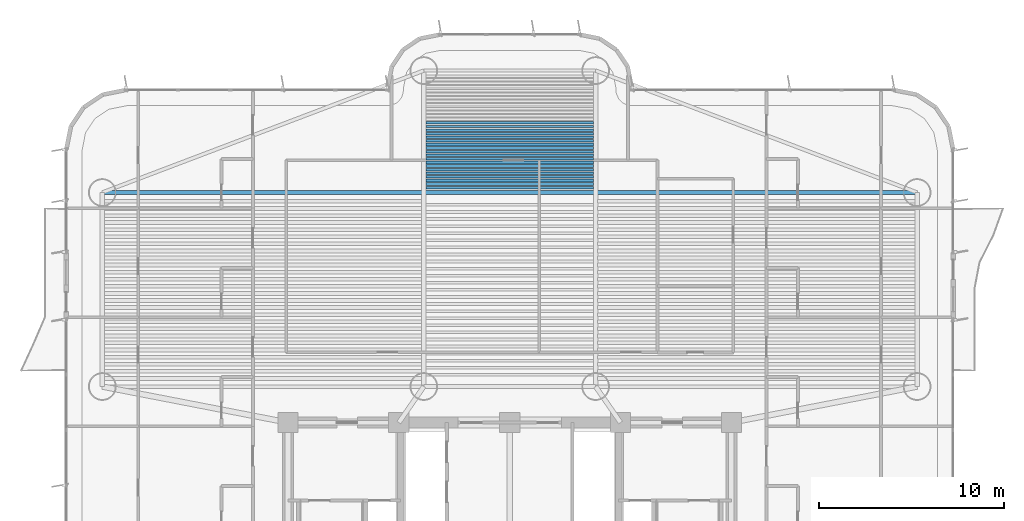
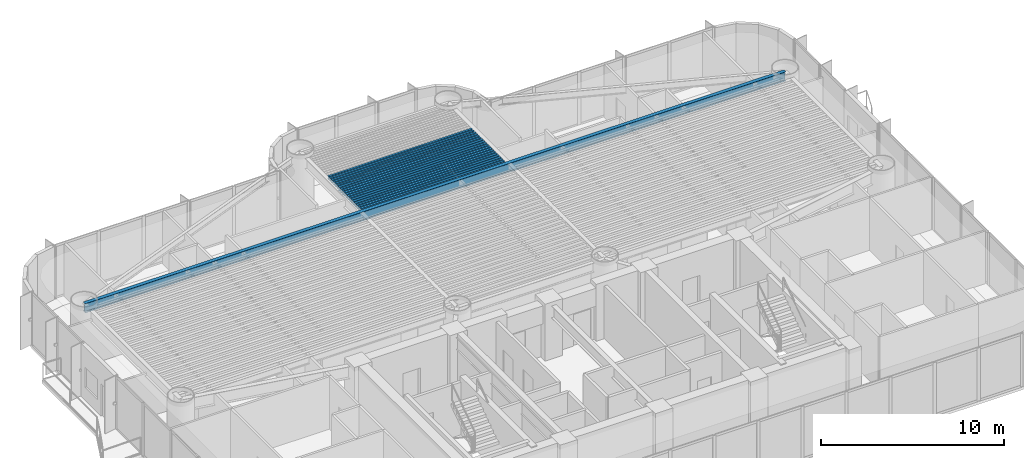
# One storey, part 4 of 18: 20 beams.
"""IFC4 building model written with IfcOpenShell, lengths in metres."""

from ifc_helpers import new_model, si_unit, direction, frame, origin, origin_2d, place, context, subcontext, project, spatial, i_section, extrude, source, transform, mapped, material, material_profile, profile_set, type_object, element, save


model = new_model("IFC4")

# Units and contexts
model_context = context("Model", 3, precision=1e-05, world=origin(), true_north=direction((0.0, 1.0)))
body_context = subcontext(model_context, "Body", "Model", "MODEL_VIEW")
ifc_project = project(units=[si_unit("LENGTHUNIT", "METRE"), si_unit("AREAUNIT", "SQUARE_METRE"), si_unit("VOLUMEUNIT", "CUBIC_METRE"), si_unit("PLANEANGLEUNIT", "RADIAN"), si_unit("MASSUNIT", "GRAM", prefix="KILO")], contexts=[model_context])

# Site, building, storey
site_placement = place(None, origin())
site = spatial("IfcSite", under=ifc_project, at=site_placement, CompositionType="ELEMENT")
building_placement = place(site_placement, origin())
building = spatial("IfcBuilding", under=site, at=building_placement, Name="Brelvock Crest Care Tower", CompositionType="ELEMENT")
storey_placement = place(building_placement, frame((0.0, 0.0, 42.1201171875)))
storey = spatial("IfcBuildingStorey", under=building, at=storey_placement, Name="L10", CompositionType="ELEMENT", Elevation=42.1201171875)

# Beams
ifc_material = material(Name="Steel Grade 350", Category="steel")
ifc_material_profile_1 = material_profile(ifc_material, i_section(OverallWidth=0.22900390625, OverallDepth=0.612060546875, WebThickness=0.011962890625, FlangeThickness=0.01953125, FilletRadius=0.013916015625, at=origin_2d()), Name="610UB125")
ifc_profile_set_1 = profile_set([ifc_material_profile_1], Name="Steel Grade 350")
beam_type_1 = type_object("IfcBeamType", Name="BM-G1", PredefinedType="BEAM", material=ifc_profile_set_1)
shared_shape_1 = source(origin(), body_context, "Body", "SweptSolid", [
    extrude(i_section(OverallWidth=0.22900390625, OverallDepth=0.612060546875, WebThickness=0.011962890625, FlangeThickness=0.01953125, FilletRadius=0.013916015625, at=origin_2d()), origin(), (0.0, 0.0, 1.0), 44.10009765625),
])
beam_placement = place(storey_placement, frame((13.949951171875, 30.449951171875, 3.223876953125), z_axis=(1.0, 0.0, 0.0), x_axis=(0.0, 1.0, 0.0)))
element("IfcBeam", 1, at=beam_placement, inside=storey, type_object=beam_type_1, Name="BM-TWR-L10-11", PredefinedType="BEAM", context=body_context, shape_type="MappedRepresentation", body=[
    mapped(shared_shape_1, transform((0.0, 0.0, 0.0), x_axis=(1.0, 0.0, 0.0), y_axis=(0.0, 1.0, 0.0), z_axis=(0.0, 0.0, 1.0), scale=1.0)),
])
ifc_material_profile_2 = material_profile(ifc_material, i_section(OverallWidth=0.14599609375, OverallDepth=0.256103515625, WebThickness=0.00634765625, FlangeThickness=0.010986328125, FilletRadius=0.0087890625, at=origin_2d()), Name="250UB37.3")
ifc_profile_set_2 = profile_set([ifc_material_profile_2], Name="Steel Grade 350")
beam_type_2 = type_object("IfcBeamType", Name="BM-J3", PredefinedType="JOIST", material=ifc_profile_set_2)
shared_shape_2 = source(origin(), body_context, "Body", "SweptSolid", [
    extrude(i_section(OverallWidth=0.14599609375, OverallDepth=0.256103515625, WebThickness=0.00634765625, FlangeThickness=0.010986328125, FilletRadius=0.0087890625, at=origin_2d()), origin(), (0.0, 0.0, 1.0), 9.06982421875),
])
for number, where, z_axis, x_axis, name in (
    (2, (31.465087890625, 30.714111328125, 3.40185546875), (1.0, 0.0, 0.0), (0.0, 1.0, 0.0), "BM-JN-L10-1"),
    (3, (31.465087890625, 30.90869140625, 3.40185546875), (1.0, 0.0, 0.0), (0.0, 1.0, 0.0), "BM-JN-L10-2"),
    (4, (31.465087890625, 31.103515625, 3.40185546875), (1.0, 0.0, 0.0), (0.0, 1.0, 0.0), "BM-JN-L10-3"),
    (5, (31.465087890625, 31.298095703125, 3.40185546875), (1.0, 0.0, 0.0), (0.0, 1.0, 0.0), "BM-JN-L10-4"),
    (6, (31.465087890625, 31.492919921875, 3.40185546875), (1.0, 0.0, 0.0), (0.0, 1.0, 0.0), "BM-JN-L10-5"),
    (7, (31.465087890625, 31.6875, 3.40185546875), (1.0, 0.0, 0.0), (0.0, 1.0, 0.0), "BM-JN-L10-6"),
    (8, (31.465087890625, 31.882080078125, 3.40185546875), (1.0, 0.0, 0.0), (0.0, 1.0, 0.0), "BM-JN-L10-7"),
    (9, (31.465087890625, 32.076904296875, 3.40185546875), (1.0, 0.0, 0.0), (0.0, 1.0, 0.0), "BM-JN-L10-8"),
    (10, (31.465087890625, 32.271484375, 3.40185546875), (1.0, 0.0, 0.0), (0.0, 1.0, 0.0), "BM-JN-L10-9"),
    (11, (31.465087890625, 32.46630859375, 3.40185546875), (1.0, 0.0, 0.0), (0.0, 1.0, 0.0), "BM-JN-L10-10"),
    (12, (31.465087890625, 32.660888671875, 3.40185546875), (1.0, 0.0, 0.0), (0.0, 1.0, 0.0), "BM-JN-L10-11"),
    (13, (31.465087890625, 32.855712890625, 3.40185546875), (1.0, 0.0, 0.0), (0.0, 1.0, 0.0), "BM-JN-L10-12"),
    (14, (31.465087890625, 33.05029296875, 3.40185546875), (1.0, 0.0, 0.0), (0.0, 1.0, 0.0), "BM-JN-L10-13"),
):
    element("IfcBeam", number, at=place(storey_placement, frame(where, z_axis=z_axis, x_axis=x_axis)), inside=storey, type_object=beam_type_2, Name=name, PredefinedType="JOIST", context=body_context, shape_type="MappedRepresentation", body=[
        mapped(shared_shape_2, transform((0.0, 0.0, 0.0), x_axis=(1.0, 0.0, 0.0), y_axis=(0.0, 1.0, 0.0), z_axis=(0.0, 0.0, 1.0), scale=1.0)),
    ])
ifc_material_profile_3 = material_profile(ifc_material, i_section(OverallWidth=0.134033203125, OverallDepth=0.20703125, WebThickness=0.00634765625, FlangeThickness=0.009521484375, FilletRadius=0.0087890625, at=origin_2d()), Name="200UB29.8")
ifc_profile_set_3 = profile_set([ifc_material_profile_3], Name="Steel Grade 350")
beam_type_3 = type_object("IfcBeamType", Name="BM-J4", PredefinedType="JOIST", material=ifc_profile_set_3)
shared_shape_3 = source(origin(), body_context, "Body", "SweptSolid", [
    extrude(i_section(OverallWidth=0.134033203125, OverallDepth=0.20703125, WebThickness=0.00634765625, FlangeThickness=0.009521484375, FilletRadius=0.0087890625, at=origin_2d()), origin(), (0.0, 0.0, 1.0), 9.06982421875),
])
for number, where, z_axis, x_axis, name in (
    (15, (31.465087890625, 33.2451171875, 3.42626953125), (1.0, 0.0, 0.0), (0.0, 1.0, 0.0), "BM-JN-L10-14"),
    (16, (31.465087890625, 33.439697265625, 3.42626953125), (1.0, 0.0, 0.0), (0.0, 1.0, 0.0), "BM-JN-L10-15"),
    (17, (31.465087890625, 33.634521484375, 3.42626953125), (1.0, 0.0, 0.0), (0.0, 1.0, 0.0), "BM-JN-L10-16"),
    (18, (31.465087890625, 33.8291015625, 3.42626953125), (1.0, 0.0, 0.0), (0.0, 1.0, 0.0), "BM-JN-L10-17"),
    (19, (31.465087890625, 34.02392578125, 3.42626953125), (1.0, 0.0, 0.0), (0.0, 1.0, 0.0), "BM-JN-L10-18"),
    (20, (31.465087890625, 34.218505859375, 3.42626953125), (1.0, 0.0, 0.0), (0.0, 1.0, 0.0), "BM-JN-L10-19"),
):
    element("IfcBeam", number, at=place(storey_placement, frame(where, z_axis=z_axis, x_axis=x_axis)), inside=storey, type_object=beam_type_3, Name=name, PredefinedType="JOIST", context=body_context, shape_type="MappedRepresentation", body=[
        mapped(shared_shape_3, transform((0.0, 0.0, 0.0), x_axis=(1.0, 0.0, 0.0), y_axis=(0.0, 1.0, 0.0), z_axis=(0.0, 0.0, 1.0), scale=1.0)),
    ])

save(model, "model.ifc")
